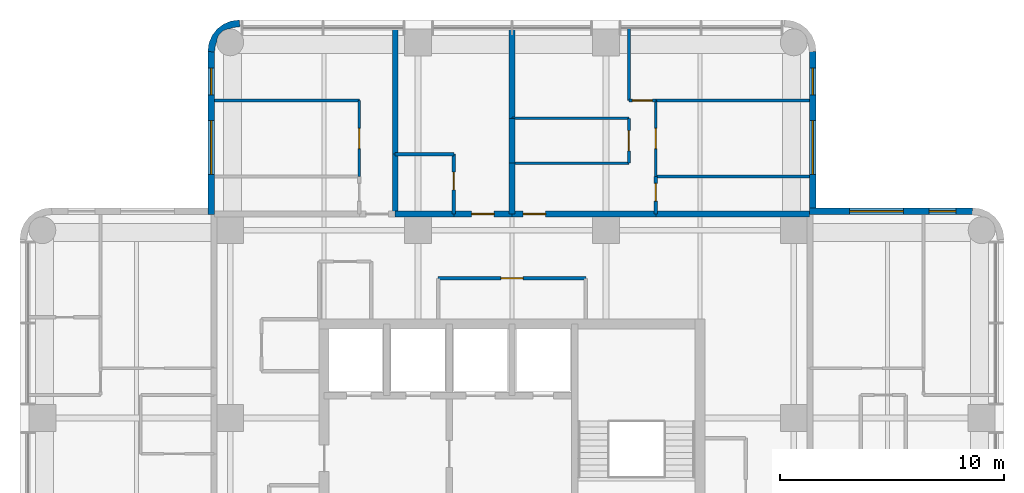
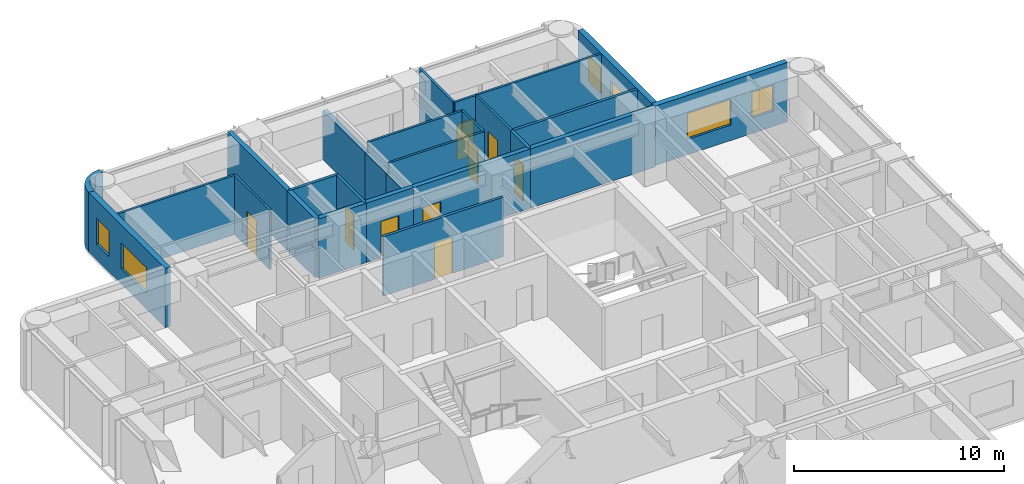
# One storey, part 8 of 10: 27 walls, 9 doors, 6 windows, 15 openings.
"""IFC4 building model written with IfcOpenShell, lengths in metres."""

from ifc_helpers import new_model, si_unit, direction, frame, frame_2d, origin, place, context, subcontext, project, spatial, polyline, rectangle, outline, extrude, material, layer, layer_set, type_object, element, fill, save


model = new_model("IFC4")

# Units and contexts
model_context = context("Model", 3, precision=1e-05, world=origin(), true_north=direction((0.0, 1.0)))
body_context = subcontext(model_context, "Body", "Model", "MODEL_VIEW")
ifc_project = project(units=[si_unit("LENGTHUNIT", "METRE"), si_unit("AREAUNIT", "SQUARE_METRE"), si_unit("VOLUMEUNIT", "CUBIC_METRE"), si_unit("PLANEANGLEUNIT", "RADIAN"), si_unit("MASSUNIT", "GRAM", prefix="KILO")], contexts=[model_context])

# Site, building, storey
site_placement = place(None, origin())
site = spatial("IfcSite", under=ifc_project, at=site_placement, CompositionType="ELEMENT")
building_placement = place(site_placement, origin())
building = spatial("IfcBuilding", under=site, at=building_placement, Name="Torre Alcanfor", CompositionType="ELEMENT")
storey_placement = place(building_placement, frame((0.0, 0.0, 279.300048828125)))
storey = spatial("IfcBuildingStorey", under=building, at=storey_placement, Name="L73", CompositionType="ELEMENT", Elevation=279.300048828125)

# Wall, opening, door
ifc_material_1 = material(Name="Concrete block masonry, hollow blocks NMX-C-404 9 MPa", Category="masonry")
ifc_layer_1 = layer(ifc_material_1, 0.25)
ifc_layer_set_1 = layer_set([ifc_layer_1], Name="Apartment entrance wall 250 EI 60")
wall_type_1 = type_object("IfcWallType", Name="Apartment entrance wall 250 EI 60", PredefinedType="PARTITIONING", material=ifc_layer_set_1)
wall_1_placement = place(storey_placement, frame((26.800048828125, 42.72509765625, 0.0), z_axis=(0.0, 0.0, 1.0), x_axis=(1.0, 0.0, 0.0)))
wall_1 = element("IfcWall", 1, at=wall_1_placement, inside=storey, type_object=wall_type_1, Name="Partition L73-CORR / L73-N1A-STUDIO", PredefinedType="PARTITIONING", context=body_context, shape_type="SweptSolid", body=[
    extrude(rectangle(XDim=2.599853515625, YDim=0.25, at=frame_2d((1.2998046875, 0.0))), origin(), (0.0, 0.0, 1.0), 3.449951171875),
])
opening_1_placement = place(wall_1_placement, frame((0.800048828125, 0.0, 0.0)))
opening_1 = element("IfcOpeningElement", 2, at=opening_1_placement, cuts=wall_1, Name="Opening D-A1", PredefinedType="OPENING", context=body_context, shape_type="SweptSolid", body=[
    extrude(rectangle(XDim=1.0, YDim=2.10009765625, at=frame_2d((0.5, 1.050048828125))), frame((0.0, 0.135009765625, 0.0), z_axis=(0.0, -1.0, 0.0), x_axis=(1.0, 0.0, 0.0)), (0.0, 0.0, 1.0), 0.27001953125),
])
ifc_material_2 = material(Name="Galvanised steel sheet ASTM A653", Category="steel")
door_type_1 = type_object("IfcDoorType", Name="Apartment entrance door FD60 1000x2100", OperationType="SINGLE_SWING_LEFT", PredefinedType="DOOR", material=ifc_material_2)
door_1_placement = place(opening_1_placement, origin())
door_1 = element("IfcDoor", 3, at=door_1_placement, inside=storey, type_object=door_type_1, Name="Apartment entrance L73-N1A", OperationType="SINGLE_SWING_LEFT", OverallHeight=2.10009765625, OverallWidth=1.0, PredefinedType="DOOR", context=body_context, shape_type="SweptSolid", body=[
    extrude(rectangle(XDim=1.0, YDim=2.10009765625, at=frame_2d((0.5, 1.050048828125))), frame((0.0, 0.02490234375, 0.0), z_axis=(0.0, -1.0, 0.0), x_axis=(1.0, 0.0, 0.0)), (0.0, 0.0, 1.0), 0.050048828125),
])
fill(opening_1, door_1)

# Wall
wall_2_placement = place(storey_placement, frame((24.1708984375, 42.72509765625, 0.0), z_axis=(0.0, 0.0, 1.0), x_axis=(1.0, 0.0, 0.0)))
element("IfcWall", 4, at=wall_2_placement, inside=storey, type_object=wall_type_1, Name="Partition L73-CORR / L73-N1A-BATH", PredefinedType="PARTITIONING", context=body_context, shape_type="SweptSolid", body=[
    extrude(rectangle(XDim=2.629150390625, YDim=0.25, at=frame_2d((1.314453125, 0.0))), origin(), (0.0, 0.0, 1.0), 3.449951171875),
])

# Wall, opening, door
wall_3_placement = place(storey_placement, frame((29.39990234375, 42.72509765625, 0.0), z_axis=(0.0, 0.0, 1.0), x_axis=(1.0, 0.0, 0.0)))
wall_3 = element("IfcWall", 5, at=wall_3_placement, inside=storey, type_object=wall_type_1, Name="Partition L73-CORR / L73-N2-LIVING", PredefinedType="PARTITIONING", context=body_context, shape_type="SweptSolid", body=[
    extrude(rectangle(XDim=6.42919921875, YDim=0.25, at=frame_2d((3.214599609375, 0.0))), origin(), (0.0, 0.0, 1.0), 3.449951171875),
])
opening_2_placement = place(wall_3_placement, frame((0.5, 0.0, 0.0)))
opening_2 = element("IfcOpeningElement", 6, at=opening_2_placement, cuts=wall_3, Name="Opening D-A1", PredefinedType="OPENING", context=body_context, shape_type="SweptSolid", body=[
    extrude(rectangle(XDim=1.0, YDim=2.10009765625, at=frame_2d((0.5, 1.050048828125))), frame((0.0, 0.135009765625, 0.0), z_axis=(0.0, -1.0, 0.0), x_axis=(1.0, 0.0, 0.0)), (0.0, 0.0, 1.0), 0.27001953125),
])
door_2_placement = place(opening_2_placement, origin())
door_2 = element("IfcDoor", 7, at=door_2_placement, inside=storey, type_object=door_type_1, Name="Apartment entrance L73-N2", OperationType="SINGLE_SWING_LEFT", OverallHeight=2.10009765625, OverallWidth=1.0, PredefinedType="DOOR", context=body_context, shape_type="SweptSolid", body=[
    extrude(rectangle(XDim=1.0, YDim=2.10009765625, at=frame_2d((0.5, 1.050048828125))), frame((0.0, 0.02490234375, 0.0), z_axis=(0.0, -1.0, 0.0), x_axis=(1.0, 0.0, 0.0)), (0.0, 0.0, 1.0), 0.050048828125),
])
fill(opening_2, door_2)

# Wall
wall_4_placement = place(storey_placement, frame((35.8291015625, 42.72509765625, 0.0), z_axis=(0.0, 0.0, 1.0), x_axis=(1.0, 0.0, 0.0)))
element("IfcWall", 8, at=wall_4_placement, inside=storey, type_object=wall_type_1, Name="Partition L73-CORR / L73-N2-BATH", PredefinedType="PARTITIONING", context=body_context, shape_type="SweptSolid", body=[
    extrude(rectangle(XDim=6.870849609375, YDim=0.25, at=frame_2d((3.435546875, 0.0))), origin(), (0.0, 0.0, 1.0), 3.449951171875),
])

# Wall, opening, door
ifc_material_3 = material(Name="Gypsum board on steel studs", Category="steel")
ifc_layer_2 = layer(ifc_material_3, 0.1201171875)
ifc_layer_set_2 = layer_set([ifc_layer_2], Name="Apartment partition 120")
wall_type_2 = type_object("IfcWallType", Name="Apartment partition 120", PredefinedType="PARTITIONING", material=ifc_layer_set_2)
wall_5_placement = place(storey_placement, frame((22.571044921875, 44.39990234375, 0.0), z_axis=(0.0, 0.0, 1.0), x_axis=(0.0, 1.0, 0.0)))
wall_5 = element("IfcWall", 9, at=wall_5_placement, inside=storey, type_object=wall_type_2, Name="Partition L73-N1B-LIVING / L73-N1B-MASTER", PredefinedType="PARTITIONING", context=body_context, shape_type="SweptSolid", body=[
    extrude(rectangle(XDim=3.400146484375, YDim=0.1201171875, at=frame_2d((1.7001953125, 0.0))), origin(), (0.0, 0.0, 1.0), 3.449951171875),
])
opening_3_placement = place(wall_5_placement, frame((1.25, 0.0, 0.0)))
opening_3 = element("IfcOpeningElement", 10, at=opening_3_placement, cuts=wall_5, Name="Opening D-R1", PredefinedType="OPENING", context=body_context, shape_type="SweptSolid", body=[
    extrude(rectangle(XDim=0.89990234375, YDim=2.10009765625, at=frame_2d((0.449951171875, 1.050048828125))), frame((0.0, 0.070068359375, 0.0), z_axis=(0.0, -1.0, 0.0), x_axis=(1.0, 0.0, 0.0)), (0.0, 0.0, 1.0), 0.14013671875),
])
ifc_material_4 = material(Name="Timber", Category="wood")
door_type_2 = type_object("IfcDoorType", Name="Internal door 900x2100", OperationType="SINGLE_SWING_LEFT", PredefinedType="DOOR", material=ifc_material_4)
door_3_placement = place(opening_3_placement, origin())
door_3 = element("IfcDoor", 11, at=door_3_placement, inside=storey, type_object=door_type_2, Name="Door L73-N1B master", OperationType="SINGLE_SWING_LEFT", OverallHeight=2.10009765625, OverallWidth=0.89990234375, PredefinedType="DOOR", context=body_context, shape_type="SweptSolid", body=[
    extrude(rectangle(XDim=0.89990234375, YDim=2.10009765625, at=frame_2d((0.449951171875, 1.050048828125))), frame((0.0, 0.02490234375, 0.0), z_axis=(0.0, -1.0, 0.0), x_axis=(1.0, 0.0, 0.0)), (0.0, 0.0, 1.0), 0.050048828125),
])
fill(opening_3, door_3)

# Walls
wall_6_placement = place(storey_placement, frame((22.571044921875, 47.800048828125, 0.0), z_axis=(0.0, 0.0, 1.0), x_axis=(-1.0, 0.0, 0.0)))
element("IfcWall", 12, at=wall_6_placement, inside=storey, type_object=wall_type_2, Name="Partition L73-N1B-LIVING / L73-N1B-MASTER", PredefinedType="PARTITIONING", context=body_context, shape_type="SweptSolid", body=[
    extrude(rectangle(XDim=6.470947265625, YDim=0.1201171875, at=frame_2d((3.2353515625, 0.0))), origin(), (0.0, 0.0, 1.0), 3.449951171875),
])
wall_7_placement = place(storey_placement, frame((29.39990234375, 47.0, 0.0), z_axis=(0.0, 0.0, 1.0), x_axis=(1.0, 0.0, 0.0)))
element("IfcWall", 13, at=wall_7_placement, inside=storey, type_object=wall_type_2, Name="Partition L73-N2-KITCHEN / L73-N2-LIVING", PredefinedType="PARTITIONING", context=body_context, shape_type="SweptSolid", body=[
    extrude(rectangle(XDim=5.22900390625, YDim=0.1201171875, at=frame_2d((2.614501953125, 0.0))), origin(), (0.0, 0.0, 1.0), 3.449951171875),
])

# Wall, opening, door
wall_8_placement = place(storey_placement, frame((34.62890625, 47.0, 0.0), z_axis=(0.0, 0.0, 1.0), x_axis=(0.0, -1.0, 0.0)))
wall_8 = element("IfcWall", 14, at=wall_8_placement, inside=storey, type_object=wall_type_2, Name="Partition L73-N2-KITCHEN / L73-N2-LIVING", PredefinedType="PARTITIONING", context=body_context, shape_type="SweptSolid", body=[
    extrude(rectangle(XDim=2.0, YDim=0.1201171875, at=frame_2d((1.0, 0.0))), origin(), (0.0, 0.0, 1.0), 3.449951171875),
])
opening_4_placement = place(wall_8_placement, frame((0.550048828125, 0.0, 0.0)))
opening_4 = element("IfcOpeningElement", 15, at=opening_4_placement, cuts=wall_8, Name="Opening D-R1", PredefinedType="OPENING", context=body_context, shape_type="SweptSolid", body=[
    extrude(rectangle(XDim=0.89990234375, YDim=2.10009765625, at=frame_2d((0.449951171875, 1.050048828125))), frame((0.0, 0.070068359375, 0.0), z_axis=(0.0, -1.0, 0.0), x_axis=(1.0, 0.0, 0.0)), (0.0, 0.0, 1.0), 0.14013671875),
])
door_4_placement = place(opening_4_placement, frame((0.89990234375, 0.0, 0.0), z_axis=(0.0, 0.0, 1.0), x_axis=(-1.0, 0.0, 0.0)))
door_4 = element("IfcDoor", 16, at=door_4_placement, inside=storey, type_object=door_type_2, Name="Door L73-N2 kitchen", OperationType="SINGLE_SWING_RIGHT", OverallHeight=2.10009765625, OverallWidth=0.89990234375, PredefinedType="DOOR", context=body_context, shape_type="SweptSolid", body=[
    extrude(rectangle(XDim=0.89990234375, YDim=2.10009765625, at=frame_2d((0.449951171875, 1.050048828125))), frame((0.0, 0.025146484375, 0.0), z_axis=(0.0, -1.0, 0.0), x_axis=(1.0, 0.0, 0.0)), (0.0, 0.0, 1.0), 0.050048828125),
])
fill(opening_4, door_4)

# Wall
wall_9_placement = place(storey_placement, frame((34.62890625, 45.0, 0.0), z_axis=(0.0, 0.0, 1.0), x_axis=(-1.0, 0.0, 0.0)))
element("IfcWall", 17, at=wall_9_placement, inside=storey, type_object=wall_type_2, Name="Partition L73-N2-KITCHEN / L73-N2-LIVING", PredefinedType="PARTITIONING", context=body_context, shape_type="SweptSolid", body=[
    extrude(rectangle(XDim=5.22900390625, YDim=0.1201171875, at=frame_2d((2.614501953125, 0.0))), origin(), (0.0, 0.0, 1.0), 3.449951171875),
])

# Wall, opening, door
wall_10_placement = place(storey_placement, frame((35.8291015625, 47.800048828125, 0.0), z_axis=(0.0, 0.0, 1.0), x_axis=(0.0, -1.0, 0.0)))
wall_10 = element("IfcWall", 18, at=wall_10_placement, inside=storey, type_object=wall_type_2, Name="Partition L73-N2-LIVING / L73-N2-STUDY", PredefinedType="PARTITIONING", context=body_context, shape_type="SweptSolid", body=[
    extrude(rectangle(XDim=3.400146484375, YDim=0.1201171875, at=frame_2d((1.7001953125, 0.0))), origin(), (0.0, 0.0, 1.0), 3.449951171875),
])
opening_5_placement = place(wall_10_placement, frame((1.25, 0.0, 0.0)))
opening_5 = element("IfcOpeningElement", 19, at=opening_5_placement, cuts=wall_10, Name="Opening D-R1", PredefinedType="OPENING", context=body_context, shape_type="SweptSolid", body=[
    extrude(rectangle(XDim=0.89990234375, YDim=2.10009765625, at=frame_2d((0.449951171875, 1.050048828125))), frame((0.0, 0.070068359375, 0.0), z_axis=(0.0, -1.0, 0.0), x_axis=(1.0, 0.0, 0.0)), (0.0, 0.0, 1.0), 0.14013671875),
])
door_5_placement = place(opening_5_placement, origin())
door_5 = element("IfcDoor", 20, at=door_5_placement, inside=storey, type_object=door_type_2, Name="Door L73-N2 study", OperationType="SINGLE_SWING_LEFT", OverallHeight=2.10009765625, OverallWidth=0.89990234375, PredefinedType="DOOR", context=body_context, shape_type="SweptSolid", body=[
    extrude(rectangle(XDim=0.89990234375, YDim=2.10009765625, at=frame_2d((0.449951171875, 1.050048828125))), frame((0.0, 0.02490234375, 0.0), z_axis=(0.0, -1.0, 0.0), x_axis=(1.0, 0.0, 0.0)), (0.0, 0.0, 1.0), 0.050048828125),
])
fill(opening_5, door_5)

# Wall
wall_11_placement = place(storey_placement, frame((34.62890625, 51.050048828125, 0.0), z_axis=(0.0, 0.0, 1.0), x_axis=(0.0, -1.0, 0.0)))
element("IfcWall", 21, at=wall_11_placement, inside=storey, type_object=wall_type_2, Name="Partition L73-N2-LIVING / L73-N2-MASTER", PredefinedType="PARTITIONING", context=body_context, shape_type="SweptSolid", body=[
    extrude(rectangle(XDim=3.25, YDim=0.1201171875, at=frame_2d((1.625, 0.0))), origin(), (0.0, 0.0, 1.0), 3.449951171875),
])

# Wall, opening, door
wall_12_placement = place(storey_placement, frame((34.62890625, 47.800048828125, 0.0), z_axis=(0.0, 0.0, 1.0), x_axis=(1.0, 0.0, 0.0)))
wall_12 = element("IfcWall", 22, at=wall_12_placement, inside=storey, type_object=wall_type_2, Name="Partition L73-N2-LIVING / L73-N2-MASTER", PredefinedType="PARTITIONING", context=body_context, shape_type="SweptSolid", body=[
    extrude(rectangle(XDim=1.2001953125, YDim=0.1201171875, at=frame_2d((0.60009765625, 0.0))), origin(), (0.0, 0.0, 1.0), 3.449951171875),
])
opening_6_placement = place(wall_12_placement, frame((0.15087890625, 0.0, 0.0)))
opening_6 = element("IfcOpeningElement", 23, at=opening_6_placement, cuts=wall_12, Name="Opening D-R1", PredefinedType="OPENING", context=body_context, shape_type="SweptSolid", body=[
    extrude(rectangle(XDim=0.89990234375, YDim=2.10009765625, at=frame_2d((0.449951171875, 1.050048828125))), frame((0.0, 0.070068359375, 0.0), z_axis=(0.0, -1.0, 0.0), x_axis=(1.0, 0.0, 0.0)), (0.0, 0.0, 1.0), 0.14013671875),
])
door_6_placement = place(opening_6_placement, origin())
door_6 = element("IfcDoor", 24, at=door_6_placement, inside=storey, type_object=door_type_2, Name="Door L73-N2 master", OperationType="SINGLE_SWING_LEFT", OverallHeight=2.10009765625, OverallWidth=0.89990234375, PredefinedType="DOOR", context=body_context, shape_type="SweptSolid", body=[
    extrude(rectangle(XDim=0.89990234375, YDim=2.10009765625, at=frame_2d((0.449951171875, 1.050048828125))), frame((0.0, 0.02490234375, 0.0), z_axis=(0.0, -1.0, 0.0), x_axis=(1.0, 0.0, 0.0)), (0.0, 0.0, 1.0), 0.050048828125),
])
fill(opening_6, door_6)

# Wall
wall_13_placement = place(storey_placement, frame((35.8291015625, 47.800048828125, 0.0), z_axis=(0.0, 0.0, 1.0), x_axis=(1.0, 0.0, 0.0)))
element("IfcWall", 25, at=wall_13_placement, inside=storey, type_object=wall_type_2, Name="Partition L73-N2-STUDY / L73-N2-MASTER", PredefinedType="PARTITIONING", context=body_context, shape_type="SweptSolid", body=[
    extrude(rectangle(XDim=6.870849609375, YDim=0.1201171875, at=frame_2d((3.435546875, 0.0))), origin(), (0.0, 0.0, 1.0), 3.449951171875),
])

# Wall, openings, windows
ifc_material_5 = material(Name="Limestone cladding", Category="masonry")
ifc_layer_3 = layer(ifc_material_5, 0.0400390625, Name="Facing")
ifc_material_6 = material(Name="Ventilated air cavity")
ifc_layer_4 = layer(ifc_material_6, 0.02001953125, ventilated=True, Name="Ventilated joint")
ifc_material_7 = material(Name="Mineral wool insulation", Category="insulation")
ifc_layer_5 = layer(ifc_material_7, 0.10009765625, Name="Insulation")
ifc_material_8 = material(Name="Concrete f'c 35 MPa", Category="concrete")
ifc_layer_6 = layer(ifc_material_8, 0.139892578125, Name="Backing")
ifc_layer_set_3 = layer_set([ifc_layer_3, ifc_layer_4, ifc_layer_5, ifc_layer_6], Name="External wall stone-clad 300")
wall_type_3 = type_object("IfcWallType", Name="External wall stone-clad 300", PredefinedType="SOLIDWALL", material=ifc_layer_set_3)
wall_14_placement = place(storey_placement, frame((50.0, 42.85009765625, 0.0), z_axis=(0.0, 0.0, 1.0), x_axis=(-1.0, 0.0, 0.0)))
wall_14 = element("IfcWall", 26, at=wall_14_placement, inside=storey, type_object=wall_type_3, Name="External wall L73 9", PredefinedType="SOLIDWALL", context=body_context, shape_type="SweptSolid", body=[
    extrude(rectangle(XDim=7.300048828125, YDim=0.300048828125, at=frame_2d((3.64990234375, 0.0))), origin(), (0.0, 0.0, 1.0), 3.449951171875),
])
opening_7_placement = place(wall_14_placement, frame((3.10009765625, 0.0, 0.89990234375)))
opening_7 = element("IfcOpeningElement", 27, at=opening_7_placement, cuts=wall_14, Name="Opening W1", PredefinedType="OPENING", context=body_context, shape_type="SweptSolid", body=[
    extrude(rectangle(XDim=2.39990234375, YDim=1.5, at=frame_2d((1.199951171875, 0.75))), frame((0.0, 0.159912109375, 0.0), z_axis=(0.0, -1.0, 0.0), x_axis=(1.0, 0.0, 0.0)), (0.0, 0.0, 1.0), 0.320068359375),
])
opening_8_placement = place(wall_14_placement, frame((0.75, 0.0, 0.89990234375)))
opening_8 = element("IfcOpeningElement", 28, at=opening_8_placement, cuts=wall_14, Name="Opening W4", PredefinedType="OPENING", context=body_context, shape_type="SweptSolid", body=[
    extrude(rectangle(XDim=1.199951171875, YDim=1.5, at=frame_2d((0.60009765625, 0.75))), frame((0.0, 0.159912109375, 0.0), z_axis=(0.0, -1.0, 0.0), x_axis=(1.0, 0.0, 0.0)), (0.0, 0.0, 1.0), 0.320068359375),
])
ifc_material_9 = material(Name="Aluminium frame with clear double glazing", Category="aluminium")
window_type_1 = type_object("IfcWindowType", Name="Window bedroom 1200x1500", PartitioningType="SINGLE_PANEL", PredefinedType="WINDOW", material=ifc_material_9)
window_1_placement = place(opening_8_placement, origin())
window_1 = element("IfcWindow", 29, at=window_1_placement, inside=storey, type_object=window_type_1, Name="Window W4 L73-E1", OverallHeight=1.5, OverallWidth=1.199951171875, PartitioningType="SINGLE_PANEL", PredefinedType="WINDOW", context=body_context, shape_type="SweptSolid", body=[
    extrude(rectangle(XDim=1.199951171875, YDim=1.5, at=frame_2d((0.60009765625, 0.75))), frame((0.0, 0.030029296875, 0.0), z_axis=(0.0, -1.0, 0.0), x_axis=(1.0, 0.0, 0.0)), (0.0, 0.0, 1.0), 0.06005859375),
])
fill(opening_8, window_1)
ifc_material_10 = material(Name="Aluminium frame with clear double glazing", Category="aluminium")
window_type_2 = type_object("IfcWindowType", Name="Window bedroom 2400x1500", PartitioningType="SINGLE_PANEL", PredefinedType="WINDOW", material=ifc_material_10)
window_2_placement = place(opening_7_placement, origin())
window_2 = element("IfcWindow", 30, at=window_2_placement, inside=storey, type_object=window_type_2, Name="Window W1 L73-E1", OverallHeight=1.5, OverallWidth=2.39990234375, PartitioningType="SINGLE_PANEL", PredefinedType="WINDOW", context=body_context, shape_type="SweptSolid", body=[
    extrude(rectangle(XDim=2.39990234375, YDim=1.5, at=frame_2d((1.199951171875, 0.75))), frame((0.0, 0.030029296875, 0.0), z_axis=(0.0, -1.0, 0.0), x_axis=(1.0, 0.0, 0.0)), (0.0, 0.0, 1.0), 0.06005859375),
])
fill(opening_7, window_2)

wall_15_placement = place(storey_placement, frame((42.85009765625, 43.0, 0.0), z_axis=(0.0, 0.0, 1.0), x_axis=(0.0, 1.0, 0.0)))
wall_15 = element("IfcWall", 31, at=wall_15_placement, inside=storey, type_object=wall_type_3, Name="External wall L73 10", PredefinedType="SOLIDWALL", context=body_context, shape_type="SweptSolid", body=[
    extrude(rectangle(XDim=7.0, YDim=0.300048828125, at=frame_2d((3.5, 0.0))), origin(), (0.0, 0.0, 1.0), 3.449951171875),
])
opening_9_placement = place(wall_15_placement, frame((1.5, 0.0, 0.89990234375)))
opening_9 = element("IfcOpeningElement", 32, at=opening_9_placement, cuts=wall_15, Name="Opening W1", PredefinedType="OPENING", context=body_context, shape_type="SweptSolid", body=[
    extrude(rectangle(XDim=2.39990234375, YDim=1.5, at=frame_2d((1.199951171875, 0.75))), frame((0.0, 0.159912109375, 0.0), z_axis=(0.0, -1.0, 0.0), x_axis=(1.0, 0.0, 0.0)), (0.0, 0.0, 1.0), 0.320068359375),
])
opening_10_placement = place(wall_15_placement, frame((5.050048828125, 0.0, 0.89990234375)))
opening_10 = element("IfcOpeningElement", 33, at=opening_10_placement, cuts=wall_15, Name="Opening W4", PredefinedType="OPENING", context=body_context, shape_type="SweptSolid", body=[
    extrude(rectangle(XDim=1.199951171875, YDim=1.5, at=frame_2d((0.60009765625, 0.75))), frame((0.0, 0.159912109375, 0.0), z_axis=(0.0, -1.0, 0.0), x_axis=(1.0, 0.0, 0.0)), (0.0, 0.0, 1.0), 0.320068359375),
])
window_3_placement = place(opening_10_placement, origin())
window_3 = element("IfcWindow", 34, at=window_3_placement, inside=storey, type_object=window_type_1, Name="Window W4 L73-N2", OverallHeight=1.5, OverallWidth=1.199951171875, PartitioningType="SINGLE_PANEL", PredefinedType="WINDOW", context=body_context, shape_type="SweptSolid", body=[
    extrude(rectangle(XDim=1.199951171875, YDim=1.5, at=frame_2d((0.60009765625, 0.75))), frame((0.0, 0.030029296875, 0.0), z_axis=(0.0, -1.0, 0.0), x_axis=(1.0, 0.0, 0.0)), (0.0, 0.0, 1.0), 0.06005859375),
])
fill(opening_10, window_3)
window_4_placement = place(opening_9_placement, origin())
window_4 = element("IfcWindow", 35, at=window_4_placement, inside=storey, type_object=window_type_2, Name="Window W1 L73-N2", OverallHeight=1.5, OverallWidth=2.39990234375, PartitioningType="SINGLE_PANEL", PredefinedType="WINDOW", context=body_context, shape_type="SweptSolid", body=[
    extrude(rectangle(XDim=2.39990234375, YDim=1.5, at=frame_2d((1.199951171875, 0.75))), frame((0.0, 0.030029296875, 0.0), z_axis=(0.0, -1.0, 0.0), x_axis=(1.0, 0.0, 0.0)), (0.0, 0.0, 1.0), 0.06005859375),
])
fill(opening_9, window_4)

wall_16_placement = place(storey_placement, frame((15.949951171875, 50.0, 0.0), z_axis=(0.0, 0.0, 1.0), x_axis=(0.0, -1.0, 0.0)))
wall_16 = element("IfcWall", 36, at=wall_16_placement, inside=storey, type_object=wall_type_3, Name="External wall L73 12", PredefinedType="SOLIDWALL", context=body_context, shape_type="SweptSolid", body=[
    extrude(rectangle(XDim=7.300048828125, YDim=0.300048828125, at=frame_2d((3.64990234375, 0.0))), origin(), (0.0, 0.0, 1.0), 3.449951171875),
])
opening_11_placement = place(wall_16_placement, frame((3.10009765625, 0.0, 0.89990234375)))
opening_11 = element("IfcOpeningElement", 37, at=opening_11_placement, cuts=wall_16, Name="Opening W1", PredefinedType="OPENING", context=body_context, shape_type="SweptSolid", body=[
    extrude(rectangle(XDim=2.39990234375, YDim=1.5, at=frame_2d((1.199951171875, 0.75))), frame((0.0, 0.159912109375, 0.0), z_axis=(0.0, -1.0, 0.0), x_axis=(1.0, 0.0, 0.0)), (0.0, 0.0, 1.0), 0.320068359375),
])
opening_12_placement = place(wall_16_placement, frame((0.75, 0.0, 0.89990234375)))
opening_12 = element("IfcOpeningElement", 38, at=opening_12_placement, cuts=wall_16, Name="Opening W4", PredefinedType="OPENING", context=body_context, shape_type="SweptSolid", body=[
    extrude(rectangle(XDim=1.199951171875, YDim=1.5, at=frame_2d((0.60009765625, 0.75))), frame((0.0, 0.159912109375, 0.0), z_axis=(0.0, -1.0, 0.0), x_axis=(1.0, 0.0, 0.0)), (0.0, 0.0, 1.0), 0.320068359375),
])
window_5_placement = place(opening_12_placement, origin())
window_5 = element("IfcWindow", 39, at=window_5_placement, inside=storey, type_object=window_type_1, Name="Window W4 L73-N1", OverallHeight=1.5, OverallWidth=1.199951171875, PartitioningType="SINGLE_PANEL", PredefinedType="WINDOW", context=body_context, shape_type="SweptSolid", body=[
    extrude(rectangle(XDim=1.199951171875, YDim=1.5, at=frame_2d((0.60009765625, 0.75))), frame((0.0, 0.030029296875, 0.0), z_axis=(0.0, -1.0, 0.0), x_axis=(1.0, 0.0, 0.0)), (0.0, 0.0, 1.0), 0.06005859375),
])
fill(opening_12, window_5)
window_6_placement = place(opening_11_placement, origin())
window_6 = element("IfcWindow", 40, at=window_6_placement, inside=storey, type_object=window_type_2, Name="Window W1 L73-N1", OverallHeight=1.5, OverallWidth=2.39990234375, PartitioningType="SINGLE_PANEL", PredefinedType="WINDOW", context=body_context, shape_type="SweptSolid", body=[
    extrude(rectangle(XDim=2.39990234375, YDim=1.5, at=frame_2d((1.199951171875, 0.75))), frame((0.0, 0.030029296875, 0.0), z_axis=(0.0, -1.0, 0.0), x_axis=(1.0, 0.0, 0.0)), (0.0, 0.0, 1.0), 0.06005859375),
])
fill(opening_11, window_6)

# Walls
ifc_material_11 = material(Name="Concrete block masonry, hollow blocks NMX-C-404 9 MPa", Category="masonry")
ifc_layer_7 = layer(ifc_material_11, 0.25)
ifc_layer_set_4 = layer_set([ifc_layer_7], Name="Party wall 250 EI 60")
wall_type_4 = type_object("IfcWallType", Name="Party wall 250 EI 60", PredefinedType="PARTITIONING", material=ifc_layer_set_4)
wall_17_placement = place(storey_placement, frame((24.1708984375, 45.39990234375, 0.0), z_axis=(0.0, 0.0, 1.0), x_axis=(0.0, 1.0, 0.0)))
element("IfcWall", 41, at=wall_17_placement, inside=storey, type_object=wall_type_4, Name="Partition L73-N1A-STUDIO / L73-N1B-LIVING", PredefinedType="PARTITIONING", context=body_context, shape_type="SweptSolid", body=[
    extrude(rectangle(XDim=5.650146484375, YDim=0.25, at=frame_2d((2.8251953125, 0.0))), origin(), (0.0, 0.0, 1.0), 3.449951171875),
])
wall_18_placement = place(storey_placement, frame((29.39990234375, 47.0, 0.0), z_axis=(0.0, 0.0, 1.0), x_axis=(0.0, -1.0, 0.0)))
element("IfcWall", 42, at=wall_18_placement, inside=storey, type_object=wall_type_4, Name="Partition L73-N1A-STUDIO / L73-N2-KITCHEN", PredefinedType="PARTITIONING", context=body_context, shape_type="SweptSolid", body=[
    extrude(rectangle(XDim=2.0, YDim=0.25, at=frame_2d((1.0, 0.0))), origin(), (0.0, 0.0, 1.0), 2.847900390625),
])
wall_19_placement = place(storey_placement, frame((29.39990234375, 45.0, 0.0), z_axis=(0.0, 0.0, 1.0), x_axis=(0.0, -1.0, 0.0)))
element("IfcWall", 43, at=wall_19_placement, inside=storey, type_object=wall_type_4, Name="Partition L73-N1A-STUDIO / L73-N2-LIVING", PredefinedType="PARTITIONING", context=body_context, shape_type="SweptSolid", body=[
    extrude(rectangle(XDim=2.27490234375, YDim=0.25, at=frame_2d((1.137451171875, 0.0))), origin(), (0.0, 0.0, 1.0), 2.847900390625),
])
wall_20_placement = place(storey_placement, frame((29.39990234375, 51.050048828125, 0.0), z_axis=(0.0, 0.0, 1.0), x_axis=(0.0, -1.0, 0.0)))
element("IfcWall", 44, at=wall_20_placement, inside=storey, type_object=wall_type_4, Name="Partition L73-N1A-STUDIO / L73-N2-LIVING", PredefinedType="PARTITIONING", context=body_context, shape_type="SweptSolid", body=[
    extrude(rectangle(XDim=4.050048828125, YDim=0.25, at=frame_2d((2.02490234375, 0.0))), origin(), (0.0, 0.0, 1.0), 2.847900390625),
])
wall_21_placement = place(storey_placement, frame((24.1708984375, 45.39990234375, 0.0), z_axis=(0.0, 0.0, 1.0), x_axis=(0.0, -1.0, 0.0)))
element("IfcWall", 45, at=wall_21_placement, inside=storey, type_object=wall_type_4, Name="Partition L73-N1A-BATH / L73-N1B-LIVING", PredefinedType="PARTITIONING", context=body_context, shape_type="SweptSolid", body=[
    extrude(rectangle(XDim=2.6748046875, YDim=0.25, at=frame_2d((1.33740234375, 0.0))), origin(), (0.0, 0.0, 1.0), 3.449951171875),
])

# Wall, opening, door
ifc_material_12 = material(Name="Concrete block masonry, hollow blocks NMX-C-404 9 MPa", Category="masonry")
ifc_layer_8 = layer(ifc_material_12, 0.14990234375)
ifc_layer_set_5 = layer_set([ifc_layer_8], Name="Residents' room partition 150")
wall_type_5 = type_object("IfcWallType", Name="Residents' room partition 150", PredefinedType="PARTITIONING", material=ifc_layer_set_5)
wall_22_placement = place(storey_placement, frame((32.699951171875, 39.85009765625, 0.0), z_axis=(0.0, 0.0, 1.0), x_axis=(-1.0, 0.0, 0.0)))
wall_22 = element("IfcWall", 46, at=wall_22_placement, inside=storey, type_object=wall_type_5, Name="Partition L73-CORR / L73-G02", PredefinedType="PARTITIONING", context=body_context, shape_type="SweptSolid", body=[
    extrude(rectangle(XDim=6.599853515625, YDim=0.14990234375, at=frame_2d((3.2998046875, 0.0))), origin(), (0.0, 0.0, 1.0), 3.449951171875),
])
opening_13_placement = place(wall_22_placement, frame((2.800048828125, 0.0, 0.0)))
opening_13 = element("IfcOpeningElement", 47, at=opening_13_placement, cuts=wall_22, Name="Opening D-M1", PredefinedType="OPENING", context=body_context, shape_type="SweptSolid", body=[
    extrude(rectangle(XDim=1.0, YDim=2.10009765625, at=frame_2d((0.5, 1.050048828125))), frame((0.0, 0.0849609375, 0.0), z_axis=(0.0, -1.0, 0.0), x_axis=(1.0, 0.0, 0.0)), (0.0, 0.0, 1.0), 0.169921875),
])
ifc_material_13 = material(Name="Timber", Category="wood")
door_type_3 = type_object("IfcDoorType", Name="Residents' room door 1000x2100", OperationType="SINGLE_SWING_LEFT", PredefinedType="DOOR", material=ifc_material_13)
door_7_placement = place(opening_13_placement, origin())
door_7 = element("IfcDoor", 48, at=door_7_placement, inside=storey, type_object=door_type_3, Name="Door L73-G02 hobby room", OperationType="SINGLE_SWING_LEFT", OverallHeight=2.10009765625, OverallWidth=1.0, PredefinedType="DOOR", context=body_context, shape_type="SweptSolid", body=[
    extrude(rectangle(XDim=1.0, YDim=2.10009765625, at=frame_2d((0.5, 1.050048828125))), frame((0.0, 0.02490234375, 0.0), z_axis=(0.0, -1.0, 0.0), x_axis=(1.0, 0.0, 0.0)), (0.0, 0.0, 1.0), 0.050048828125),
])
fill(opening_13, door_7)

# Wall
ifc_layer_9 = layer(ifc_material_5, 0.0400390625, Name="Facing")
ifc_layer_10 = layer(ifc_material_6, 0.02001953125, ventilated=True, Name="Ventilated joint")
ifc_layer_11 = layer(ifc_material_7, 0.10009765625, Name="Insulation")
ifc_layer_12 = layer(ifc_material_8, 0.139892578125, Name="Backing")
ifc_layer_set_6 = layer_set([ifc_layer_9, ifc_layer_10, ifc_layer_11, ifc_layer_12], Name="Rounded corner pier stone-clad 300")
wall_type_6 = type_object("IfcWallType", Name="Rounded corner pier stone-clad 300", PredefinedType="SOLIDWALL", material=ifc_layer_set_6)
wall_23_placement = place(storey_placement, frame((17.161581746, 50.975898117, 0.0), z_axis=(0.0, 0.0, 1.0), x_axis=(-0.707106781187, 0.707106781187, 0.0)))
element("IfcWall", 49, at=wall_23_placement, inside=storey, type_object=wall_type_6, Name="Corner pier L73 20", PredefinedType="SOLIDWALL", context=body_context, shape_type="SweptSolid", body=[
    extrude(outline(polyline([(0.04670774238592209, -0.12893693046191768), (0.03272442957437171, -0.14292024327346806), (0.2726849827602362, -0.3269475452131311), (0.495209553304538, -0.03709591298358683), (0.6350426814200417, 0.3005751963916298), (0.6826895250742134, 0.6627602615599347), (0.6350426814200417, 1.0252905937112406), (0.495209553304538, 1.3629617030864574), (0.2726849827602362, 1.6528133353160017), (0.032551796082871065, 1.468613399884838), (0.04653510889442147, 1.4546300870732876), (0.23315191320659384, 1.2117347645319125), (0.2921925672998066, 1.069139500552399), (0.35796592756154355, 1.003366140290662), (0.44946167805687315, 0.7823952711698656), (0.44928904456537255, 0.5432978854415043), (0.3579659275615435, 0.32249964981220874), (0.2921925672998065, 0.2567262895504718), (0.2331519132065938, 0.11413102557095803), (0.04670774238592209, -0.12893693046191768)])), origin(), (0.0, 0.0, 1.0), 3.449951171875),
])

# Wall, opening, door
ifc_material_14 = material(Name="Cement board on steel studs", Category="steel")
ifc_layer_13 = layer(ifc_material_14, 0.14990234375)
ifc_layer_set_7 = layer_set([ifc_layer_13], Name="Wet area partition 150")
wall_type_7 = type_object("IfcWallType", Name="Wet area partition 150", PredefinedType="PARTITIONING", material=ifc_layer_set_7)
wall_24_placement = place(storey_placement, frame((26.800048828125, 42.72509765625, 0.0), z_axis=(0.0, 0.0, 1.0), x_axis=(0.0, 1.0, 0.0)))
wall_24 = element("IfcWall", 50, at=wall_24_placement, inside=storey, type_object=wall_type_7, Name="Partition L73-N1A-STUDIO / L73-N1A-BATH", PredefinedType="PARTITIONING", context=body_context, shape_type="SweptSolid", body=[
    extrude(rectangle(XDim=2.6748046875, YDim=0.14990234375, at=frame_2d((1.33740234375, 0.0))), origin(), (0.0, 0.0, 1.0), 3.449951171875),
])
opening_14_placement = place(wall_24_placement, frame((1.074951171875, 0.0, 0.0)))
opening_14 = element("IfcOpeningElement", 51, at=opening_14_placement, cuts=wall_24, Name="Opening D-R2", PredefinedType="OPENING", context=body_context, shape_type="SweptSolid", body=[
    extrude(rectangle(XDim=0.800048828125, YDim=2.10009765625, at=frame_2d((0.39990234375, 1.050048828125))), frame((0.0, 0.0849609375, 0.0), z_axis=(0.0, -1.0, 0.0), x_axis=(1.0, 0.0, 0.0)), (0.0, 0.0, 1.0), 0.169921875),
])
ifc_material_15 = material(Name="Timber", Category="wood")
door_type_4 = type_object("IfcDoorType", Name="Bathroom door 800x2100", OperationType="SINGLE_SWING_LEFT", PredefinedType="DOOR", material=ifc_material_15)
door_8_placement = place(opening_14_placement, origin())
door_8 = element("IfcDoor", 52, at=door_8_placement, inside=storey, type_object=door_type_4, Name="Door L73-N1A bath", OperationType="SINGLE_SWING_RIGHT", OverallHeight=2.10009765625, OverallWidth=0.800048828125, PredefinedType="DOOR", context=body_context, shape_type="SweptSolid", body=[
    extrude(rectangle(XDim=0.800048828125, YDim=2.10009765625, at=frame_2d((0.39990234375, 1.050048828125))), frame((0.0, 0.02490234375, 0.0), z_axis=(0.0, -1.0, 0.0), x_axis=(1.0, 0.0, 0.0)), (0.0, 0.0, 1.0), 0.050048828125),
])
fill(opening_14, door_8)

# Wall
wall_25_placement = place(storey_placement, frame((26.800048828125, 45.39990234375, 0.0), z_axis=(0.0, 0.0, 1.0), x_axis=(-1.0, 0.0, 0.0)))
element("IfcWall", 53, at=wall_25_placement, inside=storey, type_object=wall_type_7, Name="Partition L73-N1A-STUDIO / L73-N1A-BATH", PredefinedType="PARTITIONING", context=body_context, shape_type="SweptSolid", body=[
    extrude(rectangle(XDim=2.629150390625, YDim=0.14990234375, at=frame_2d((1.314453125, 0.0))), origin(), (0.0, 0.0, 1.0), 3.449951171875),
])

# Wall, opening, door
wall_26_placement = place(storey_placement, frame((35.8291015625, 44.39990234375, 0.0), z_axis=(0.0, 0.0, 1.0), x_axis=(0.0, -1.0, 0.0)))
wall_26 = element("IfcWall", 54, at=wall_26_placement, inside=storey, type_object=wall_type_7, Name="Partition L73-N2-LIVING / L73-N2-BATH", PredefinedType="PARTITIONING", context=body_context, shape_type="SweptSolid", body=[
    extrude(rectangle(XDim=1.6748046875, YDim=0.14990234375, at=frame_2d((0.83740234375, 0.0))), origin(), (0.0, 0.0, 1.0), 3.449951171875),
])
opening_15_placement = place(wall_26_placement, frame((0.300048828125, 0.0, 0.0)))
opening_15 = element("IfcOpeningElement", 55, at=opening_15_placement, cuts=wall_26, Name="Opening D-R2", PredefinedType="OPENING", context=body_context, shape_type="SweptSolid", body=[
    extrude(rectangle(XDim=0.800048828125, YDim=2.10009765625, at=frame_2d((0.39990234375, 1.050048828125))), frame((0.0, 0.0849609375, 0.0), z_axis=(0.0, -1.0, 0.0), x_axis=(1.0, 0.0, 0.0)), (0.0, 0.0, 1.0), 0.169921875),
])
door_9_placement = place(opening_15_placement, origin())
door_9 = element("IfcDoor", 56, at=door_9_placement, inside=storey, type_object=door_type_4, Name="Door L73-N2 bath", OperationType="SINGLE_SWING_LEFT", OverallHeight=2.10009765625, OverallWidth=0.800048828125, PredefinedType="DOOR", context=body_context, shape_type="SweptSolid", body=[
    extrude(rectangle(XDim=0.800048828125, YDim=2.10009765625, at=frame_2d((0.39990234375, 1.050048828125))), frame((0.0, 0.02490234375, 0.0), z_axis=(0.0, -1.0, 0.0), x_axis=(1.0, 0.0, 0.0)), (0.0, 0.0, 1.0), 0.050048828125),
])
fill(opening_15, door_9)

# Wall
wall_27_placement = place(storey_placement, frame((35.8291015625, 44.39990234375, 0.0), z_axis=(0.0, 0.0, 1.0), x_axis=(1.0, 0.0, 0.0)))
element("IfcWall", 57, at=wall_27_placement, inside=storey, type_object=wall_type_7, Name="Partition L73-N2-BATH / L73-N2-STUDY", PredefinedType="PARTITIONING", context=body_context, shape_type="SweptSolid", body=[
    extrude(rectangle(XDim=6.870849609375, YDim=0.14990234375, at=frame_2d((3.435546875, 0.0))), origin(), (0.0, 0.0, 1.0), 3.449951171875),
])

save(model, "model.ifc")
